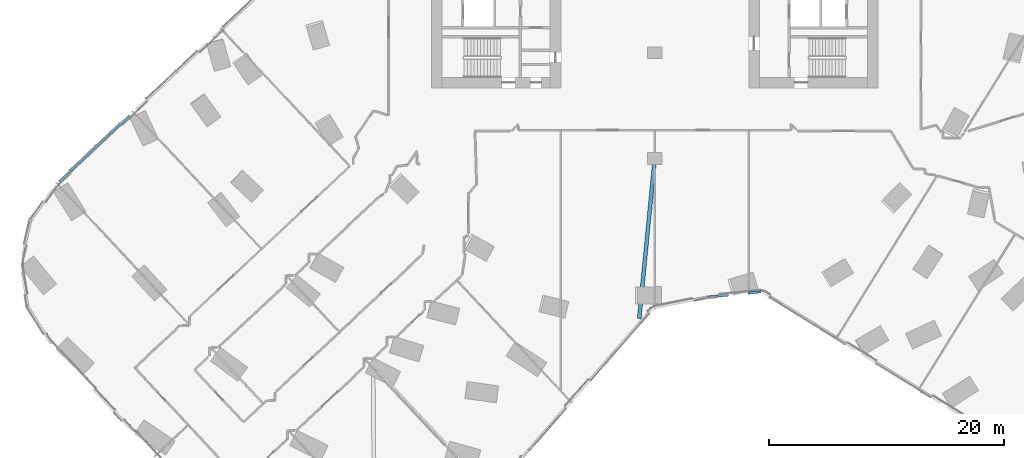
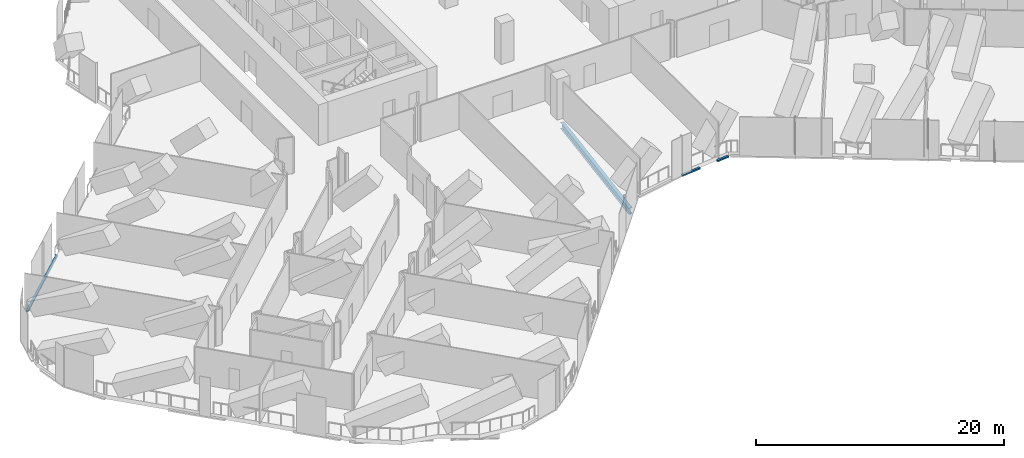
# One storey, part 5 of 31: 3 members, 1 beam, 2 elements without a shape of their own.
"""IFC4 building model written with IfcOpenShell, lengths in metres."""

from ifc_helpers import new_model, si_unit, direction, frame, origin, origin_2d, place, context, subcontext, project, spatial, rectangle, i_section, extrude, material, material_profile, profile_set, type_object, element, aggregate, save


model = new_model("IFC4")

# Units and contexts
model_context = context("Model", 3, precision=1e-05, world=origin(), true_north=direction((0.0, 1.0)))
body_context = subcontext(model_context, "Body", "Model", "MODEL_VIEW")
ifc_project = project(units=[si_unit("LENGTHUNIT", "METRE"), si_unit("AREAUNIT", "SQUARE_METRE"), si_unit("VOLUMEUNIT", "CUBIC_METRE"), si_unit("PLANEANGLEUNIT", "RADIAN"), si_unit("MASSUNIT", "GRAM", prefix="KILO")], contexts=[model_context])

# Site, building, storey
site_placement = place(None, origin())
site = spatial("IfcSite", under=ifc_project, at=site_placement, CompositionType="ELEMENT")
building_placement = place(site_placement, origin())
building = spatial("IfcBuilding", under=site, at=building_placement, Name="Orlundy Tower", CompositionType="ELEMENT")
storey_placement = place(building_placement, frame((0.0, 0.0, 54.800048828125)))
storey = spatial("IfcBuildingStorey", under=building, at=storey_placement, Name="L12", CompositionType="ELEMENT", Elevation=54.800048828125)

# Beam
ifc_material_1 = material(Name="Steel ASTM A992 Gr 50", Category="steel")
ifc_material_profile_1 = material_profile(ifc_material_1, i_section(OverallWidth=0.32373046875, OverallDepth=0.611083984375, WebThickness=0.0126953125, FlangeThickness=0.01904296875, at=origin_2d()), Name="W24X104")
ifc_profile_set_1 = profile_set([ifc_material_profile_1], Name="Steel ASTM A992 Gr 50")
beam_type = type_object("IfcBeamType", Name="CANTILEVER GIRDER beam W24X104", PredefinedType="BEAM", material=ifc_profile_set_1)
beam_placement = place(storey_placement, frame((-1.3291015625, -31.63818359375, -0.70556640625), z_axis=(0.096993989633, 0.995284967221, 0.0), x_axis=(-0.995284967221, 0.096993989633, 0.0)))
element("IfcBeam", 1, at=beam_placement, inside=storey, type_object=beam_type, Name="Cantilever girder C-H09 L12", PredefinedType="BEAM", context=body_context, shape_type="SweptSolid", body=[
    extrude(i_section(OverallWidth=0.32373046875, OverallDepth=0.611083984375, WebThickness=0.0126953125, FlangeThickness=0.01904296875, at=origin_2d()), origin(), (0.0, 0.0, 1.0), 13.302734375),
])

# Curtain wall, member
ifc_material_2 = material(Name="Aluminium bronze anodised", Category="aluminium")
curtain_wall_type = type_object("IfcCurtainWallType", Name="CW5 wall", PredefinedType="NOTDEFINED", material=ifc_material_2)
curtain_wall_1_placement = place(storey_placement, origin())
curtain_wall_1 = element("IfcCurtainWall", 2, at=curtain_wall_1_placement, inside=storey, type_object=curtain_wall_type, Name="CW5 run 012", PredefinedType="NOTDEFINED")
ifc_material_3 = material(Name="Aluminium bronze anodised", Category="aluminium")
ifc_material_profile_2 = material_profile(ifc_material_3, rectangle(XDim=0.199951171875, YDim=0.139892578125, at=origin_2d()), Name="CW5 transom 200x140")
ifc_profile_set_2 = profile_set([ifc_material_profile_2], Name="Aluminium bronze anodised")
member_type = type_object("IfcMemberType", Name="CW5 transom 200x140", PredefinedType="USERDEFINED", material=ifc_profile_set_2)
member_1_placement = place(storey_placement, frame((-50.69775390625, -19.9951171875, -0.330078125), z_axis=(0.729355366269, 0.684135037616, 0.0), x_axis=(-0.684135037616, 0.729355366269, 0.0)))
member_1 = element("IfcMember", 3, at=member_1_placement, type_object=member_type, Name="CW5 transom", ObjectType="TRANSOM", PredefinedType="USERDEFINED", context=body_context, shape_type="SweptSolid", body=[
    extrude(rectangle(XDim=0.199951171875, YDim=0.139892578125, at=origin_2d()), origin(), (0.0, 0.0, 1.0), 8.24951171875),
])
aggregate(curtain_wall_1, [member_1])

# Curtain wall, members
curtain_wall_2_placement = place(storey_placement, origin())
curtain_wall_2 = element("IfcCurtainWall", 4, at=curtain_wall_2_placement, inside=storey, type_object=curtain_wall_type, Name="CW5 run 042", PredefinedType="NOTDEFINED")
member_2_placement = place(storey_placement, frame((9.051513671875, -29.349853515625, -0.330078125), z_axis=(-0.995116294415, -0.098709475689, 0.0), x_axis=(0.098709475689, -0.995116294415, 0.0)))
member_2 = element("IfcMember", 5, at=member_2_placement, type_object=member_type, Name="CW5 transom", ObjectType="TRANSOM", PredefinedType="USERDEFINED", context=body_context, shape_type="SweptSolid", body=[
    extrude(rectangle(XDim=0.199951171875, YDim=0.139892578125, at=origin_2d()), origin(), (0.0, 0.0, 1.0), 1.095703125),
])
member_3_placement = place(storey_placement, frame((6.25341796875, -29.62744140625, -0.330078125), z_axis=(-0.995116839394, -0.098703981456, 0.0), x_axis=(0.098703981456, -0.995116839394, 0.0)))
member_3 = element("IfcMember", 6, at=member_3_placement, type_object=member_type, Name="CW5 transom", ObjectType="TRANSOM", PredefinedType="USERDEFINED", context=body_context, shape_type="SweptSolid", body=[
    extrude(rectangle(XDim=0.199951171875, YDim=0.139892578125, at=origin_2d()), origin(), (0.0, 0.0, 1.0), 1.783447265625),
])
aggregate(curtain_wall_2, [member_2, member_3])

save(model, "model.ifc")
